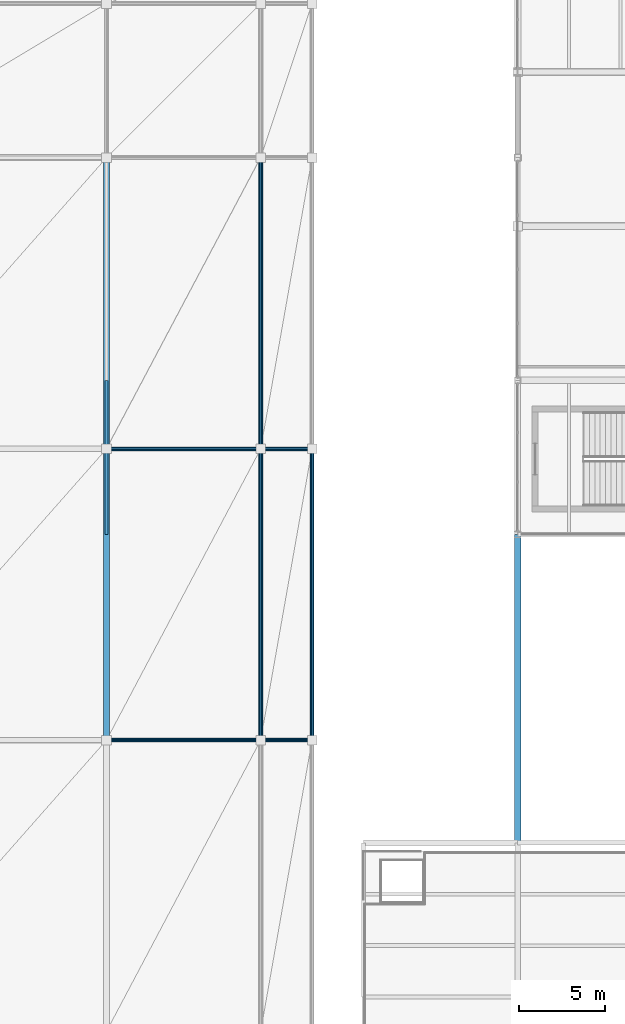
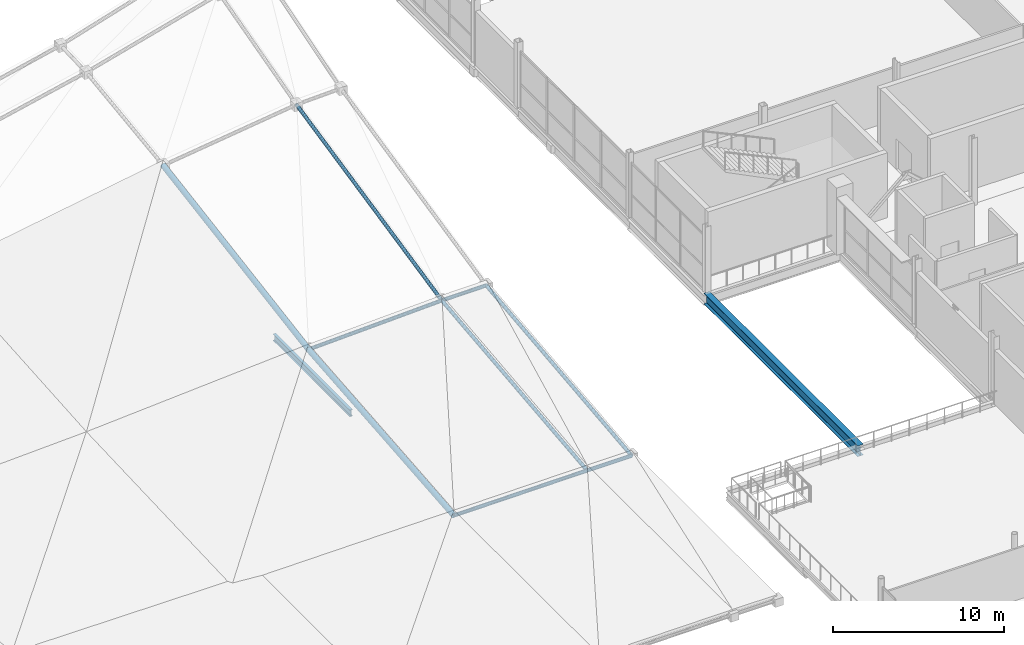
# One storey, part 24 of 69: 9 members, 2 beams.
"""IFC4 building model written with IfcOpenShell, lengths in metres."""

from ifc_helpers import new_model, si_unit, direction, frame, origin, origin_2d, place, context, subcontext, project, spatial, hollow_circle, i_section, extrude, material, material_profile, profile_set, type_object, element, save


model = new_model("IFC4")

# Units and contexts
model_context = context("Model", 3, precision=1e-05, world=origin(), true_north=direction((0.0, 1.0)))
body_context = subcontext(model_context, "Body", "Model", "MODEL_VIEW")
ifc_project = project(units=[si_unit("LENGTHUNIT", "METRE"), si_unit("AREAUNIT", "SQUARE_METRE"), si_unit("VOLUMEUNIT", "CUBIC_METRE"), si_unit("PLANEANGLEUNIT", "RADIAN"), si_unit("MASSUNIT", "GRAM", prefix="KILO")], contexts=[model_context])

# Site, building, storey
site_placement = place(None, origin())
site = spatial("IfcSite", under=ifc_project, at=site_placement, CompositionType="ELEMENT")
building_placement = place(site_placement, origin())
building = spatial("IfcBuilding", under=site, at=building_placement, Name="Qamarlyn Nura Convention Centre", CompositionType="ELEMENT")
storey_placement = place(building_placement, frame((0.0, 0.0, 15.60009765625)))
storey = spatial("IfcBuildingStorey", under=building, at=storey_placement, Name="L03", CompositionType="ELEMENT", Elevation=15.60009765625)

# Beams
ifc_material_1 = material(Name="Steel ASTM A992", Category="steel")
ifc_material_profile_1 = material_profile(ifc_material_1, i_section(OverallWidth=0.381103515625, OverallDepth=0.77294921875, WebThickness=0.0166015625, FlangeThickness=0.027587890625, FilletRadius=0.02001953125, at=origin_2d()), Name="W760X257")
ifc_profile_set_1 = profile_set([ifc_material_profile_1], Name="Steel ASTM A992")
beam_type_1 = type_object("IfcBeamType", Name="BM-GIRD-760", PredefinedType="BEAM", material=ifc_profile_set_1)
beam_1_placement = place(storey_placement, frame((144.0, 63.0, -0.38671875), z_axis=(0.0, 1.0, 0.0), x_axis=(-1.0, 0.0, 0.0)))
element("IfcBeam", 1, at=beam_1_placement, inside=storey, type_object=beam_type_1, Name="L03 girder 12 H-K", PredefinedType="BEAM", context=body_context, shape_type="SweptSolid", body=[
    extrude(i_section(OverallWidth=0.381103515625, OverallDepth=0.77294921875, WebThickness=0.0166015625, FlangeThickness=0.027587890625, FilletRadius=0.02001953125, at=origin_2d()), origin(), (0.0, 0.0, 1.0), 18.0),
])
ifc_material_profile_2 = material_profile(ifc_material_1, i_section(OverallWidth=0.193115234375, OverallDepth=0.466064453125, WebThickness=0.011474609375, FlangeThickness=0.01904296875, FilletRadius=0.012939453125, at=origin_2d()), Name="W460X97")
ifc_profile_set_2 = profile_set([ifc_material_profile_2], Name="Steel ASTM A992")
beam_type_2 = type_object("IfcBeamType", Name="BM-SPAN-460", PredefinedType="SPANDREL", material=ifc_profile_set_2)
beam_2_placement = place(storey_placement, frame((120.0, 81.0, -0.233154296875), z_axis=(0.0, 1.0, 0.0), x_axis=(-1.0, 0.0, 0.0)))
element("IfcBeam", 2, at=beam_2_placement, inside=storey, type_object=beam_type_2, Name="L03 girder 9 K-L", PredefinedType="SPANDREL", context=body_context, shape_type="SweptSolid", body=[
    extrude(i_section(OverallWidth=0.193115234375, OverallDepth=0.466064453125, WebThickness=0.011474609375, FlangeThickness=0.01904296875, FilletRadius=0.012939453125, at=origin_2d()), origin(), (0.0, 0.0, 1.0), 9.0),
])

# Members
ifc_material_2 = material(Name="Pearl-white PVDF steel ASTM A500 Grade C", Category="steel")
ifc_material_profile_3 = material_profile(ifc_material_2, hollow_circle(Radius=0.122314453125, WallThickness=0.010009765625, at=origin_2d()), Name="CHS244.5X10")
ifc_profile_set_3 = profile_set([ifc_material_profile_3], Name="Pearl-white PVDF steel ASTM A500 Grade C")
member_type_1 = type_object("IfcMemberType", Name="SF-TC-EAVE", PredefinedType="CHORD", material=ifc_profile_set_3)
member_1_placement = place(storey_placement, frame((120.0, 69.0, -0.2626953125), z_axis=(0.999971361199, 0.0, 0.007568142626), x_axis=(0.0, 1.0, 0.0)))
element("IfcMember", 3, at=member_1_placement, inside=storey, type_object=member_type_1, Name="ROOF TRUSS space frame top chord X10-5", PredefinedType="CHORD", context=body_context, shape_type="SweptSolid", body=[
    extrude(hollow_circle(Radius=0.122314453125, WallThickness=0.010009765625, at=origin_2d()), origin(), (0.0, 0.0, 1.0), 9.000244140625),
])
member_2_placement = place(storey_placement, frame((129.0, 69.0, -0.194580078125), z_axis=(0.999998539689, 0.0, 0.001708981879), x_axis=(0.0, 1.0, 0.0)))
element("IfcMember", 4, at=member_2_placement, inside=storey, type_object=member_type_1, Name="ROOF TRUSS space frame top chord X11-5", PredefinedType="CHORD", context=body_context, shape_type="SweptSolid", body=[
    extrude(hollow_circle(Radius=0.122314453125, WallThickness=0.010009765625, at=origin_2d()), origin(), (0.0, 0.0, 1.0), 3.0),
])
member_3_placement = place(storey_placement, frame((120.0, 86.0, 1.28369140625), z_axis=(0.999251614623, 0.0, 0.038680882543), x_axis=(0.0, 1.0, 0.0)))
element("IfcMember", 5, at=member_3_placement, inside=storey, type_object=member_type_1, Name="ROOF TRUSS space frame top chord X10-6", PredefinedType="CHORD", context=body_context, shape_type="SweptSolid", body=[
    extrude(hollow_circle(Radius=0.122314453125, WallThickness=0.010009765625, at=origin_2d()), origin(), (0.0, 0.0, 1.0), 9.0068359375),
])
member_4_placement = place(storey_placement, frame((129.0, 86.0, 1.632080078125), z_axis=(0.999964186155, 0.0, 0.008463238555), x_axis=(0.0, 1.0, 0.0)))
element("IfcMember", 6, at=member_4_placement, inside=storey, type_object=member_type_1, Name="ROOF TRUSS space frame top chord X11-6", PredefinedType="CHORD", context=body_context, shape_type="SweptSolid", body=[
    extrude(hollow_circle(Radius=0.122314453125, WallThickness=0.010009765625, at=origin_2d()), origin(), (0.0, 0.0, 1.0), 3.0),
])
member_5_placement = place(storey_placement, frame((129.0, 69.0, -0.194580078125), z_axis=(0.0, 0.994276696509, 0.106835625047), x_axis=(-1.0, 0.0, 0.0)))
element("IfcMember", 7, at=member_5_placement, inside=storey, type_object=member_type_1, Name="ROOF TRUSS space frame top chord Y11-5", PredefinedType="CHORD", context=body_context, shape_type="SweptSolid", body=[
    extrude(hollow_circle(Radius=0.122314453125, WallThickness=0.010009765625, at=origin_2d()), origin(), (0.0, 0.0, 1.0), 17.097900390625),
])
member_6_placement = place(storey_placement, frame((129.0, 86.0, 1.632080078125), z_axis=(0.0, 0.977439000532, 0.211217897533), x_axis=(-1.0, 0.0, 0.0)))
element("IfcMember", 8, at=member_6_placement, inside=storey, type_object=member_type_1, Name="ROOF TRUSS space frame top chord Y11-6", PredefinedType="CHORD", context=body_context, shape_type="SweptSolid", body=[
    extrude(hollow_circle(Radius=0.122314453125, WallThickness=0.010009765625, at=origin_2d()), origin(), (0.0, 0.0, 1.0), 17.392333984375),
])
member_7_placement = place(storey_placement, frame((132.0, 69.0, -0.189453125), z_axis=(0.0, 0.994150129904, 0.108007033156), x_axis=(-1.0, 0.0, 0.0)))
element("IfcMember", 9, at=member_7_placement, inside=storey, type_object=member_type_1, Name="ROOF TRUSS space frame top chord Y12-5", PredefinedType="CHORD", context=body_context, shape_type="SweptSolid", body=[
    extrude(hollow_circle(Radius=0.122314453125, WallThickness=0.010009765625, at=origin_2d()), origin(), (0.0, 0.0, 1.0), 17.10009765625),
])
ifc_material_profile_4 = material_profile(ifc_material_2, hollow_circle(Radius=0.177734375, WallThickness=0.01611328125, at=origin_2d()), Name="CHS355.6X16")
ifc_profile_set_4 = profile_set([ifc_material_profile_4], Name="Pearl-white PVDF steel ASTM A500 Grade C")
member_type_2 = type_object("IfcMemberType", Name="SF-TC-HEAVY", PredefinedType="CHORD", material=ifc_profile_set_4)
member_8_placement = place(storey_placement, frame((120.0, 69.0, -0.2626953125), z_axis=(0.0, 0.995888281299, 0.090589906562), x_axis=(-1.0, 0.0, 0.0)))
element("IfcMember", 10, at=member_8_placement, inside=storey, type_object=member_type_2, Name="ROOF TRUSS space frame top chord Y10-5", PredefinedType="CHORD", context=body_context, shape_type="SweptSolid", body=[
    extrude(hollow_circle(Radius=0.177734375, WallThickness=0.01611328125, at=origin_2d()), origin(), (0.0, 0.0, 1.0), 17.070068359375),
])
member_9_placement = place(storey_placement, frame((120.0, 86.0, 1.28369140625), z_axis=(0.0, 0.986422241624, 0.164228990222), x_axis=(-1.0, 0.0, 0.0)))
element("IfcMember", 11, at=member_9_placement, inside=storey, type_object=member_type_2, Name="ROOF TRUSS space frame top chord Y10-6", PredefinedType="CHORD", context=body_context, shape_type="SweptSolid", body=[
    extrude(hollow_circle(Radius=0.177734375, WallThickness=0.01611328125, at=origin_2d()), origin(), (0.0, 0.0, 1.0), 17.23388671875),
])

save(model, "model.ifc")
